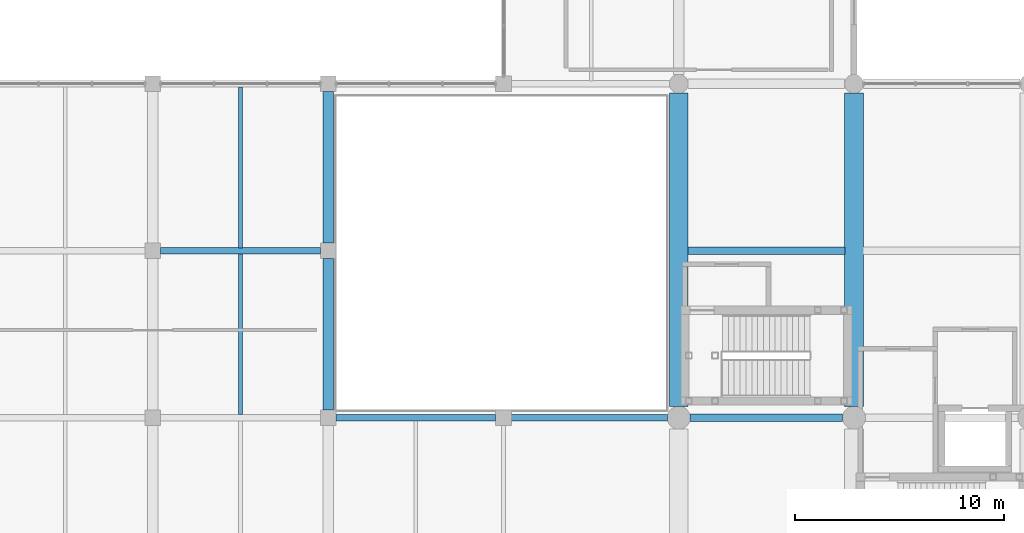
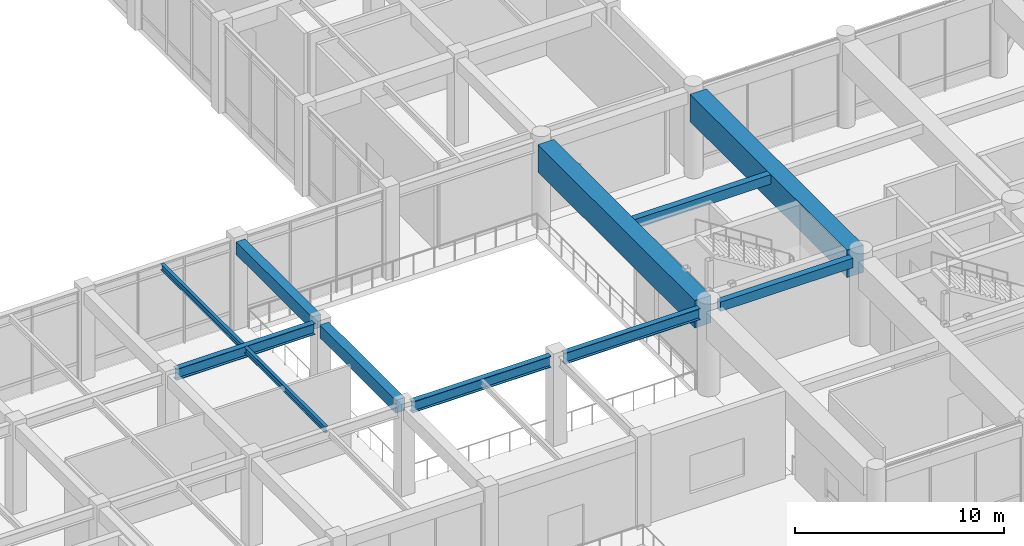
# One storey, part 26 of 79: 11 beams.
"""IFC4 building model written with IfcOpenShell, lengths in metres."""

from ifc_helpers import new_model, si_unit, direction, frame, origin, origin_2d, place, context, subcontext, project, spatial, rectangle, i_section, extrude, material, material_profile, profile_set, type_object, element, save


model = new_model("IFC4")

# Units and contexts
model_context = context("Model", 3, precision=1e-05, world=origin(), true_north=direction((0.0, 1.0)))
body_context = subcontext(model_context, "Body", "Model", "MODEL_VIEW")
ifc_project = project(units=[si_unit("LENGTHUNIT", "METRE"), si_unit("AREAUNIT", "SQUARE_METRE"), si_unit("VOLUMEUNIT", "CUBIC_METRE"), si_unit("PLANEANGLEUNIT", "RADIAN"), si_unit("MASSUNIT", "GRAM", prefix="KILO")], contexts=[model_context])

# Site, building, storey
site_placement = place(None, origin())
site = spatial("IfcSite", under=ifc_project, at=site_placement, CompositionType="ELEMENT")
building_placement = place(site_placement, origin())
building = spatial("IfcBuilding", under=site, at=building_placement, Name="Naruveol Harbour Congress Hotel", CompositionType="ELEMENT")
storey_placement = place(building_placement, frame((0.0, 0.0, 6.0)))
storey = spatial("IfcBuildingStorey", under=building, at=storey_placement, Name="L01", CompositionType="ELEMENT", Elevation=6.0)

# Beams
ifc_material_1 = material(Name="Concrete C40/50", Category="concrete")
ifc_material_profile_1 = material_profile(ifc_material_1, rectangle(XDim=0.5, YDim=0.75, at=origin_2d()), Name="RCB-500x750")
ifc_profile_set_1 = profile_set([ifc_material_profile_1], Name="Concrete C40/50")
beam_type_1 = type_object("IfcBeamType", Name="RC FLOOR GIRDER 500X750", PredefinedType="BEAM", material=ifc_profile_set_1)
for number, where, z_axis, x_axis, name in (
    (1, (100.800048828125, 16.37109375, 4.77490234375), (0.0, 1.0, 0.0), (-1.0, 0.0, 0.0), "Transverse girder L02 CB3"),
    (2, (100.800048828125, 24.37109375, 4.77490234375), (0.0, 1.0, 0.0), (-1.0, 0.0, 0.0), "Transverse girder L02 CB3"),
):
    element("IfcBeam", number, at=place(storey_placement, frame(where, z_axis=z_axis, x_axis=x_axis)), inside=storey, type_object=beam_type_1, Name=name, PredefinedType="BEAM", context=body_context, shape_type="SweptSolid", body=[
        extrude(rectangle(XDim=0.5, YDim=0.75, at=origin_2d()), origin(), (0.0, 0.0, 1.0), 7.2578125),
    ])
ifc_material_2 = material(Name="Concrete C40/50", Category="concrete")
ifc_material_profile_2 = material_profile(ifc_material_2, rectangle(XDim=0.35009765625, YDim=0.550048828125, at=origin_2d()), Name="RCB-350x550")
ifc_profile_set_2 = profile_set([ifc_material_profile_2], Name="Concrete C40/50")
beam_type_2 = type_object("IfcBeamType", Name="RC SECONDARY BEAM 350X550", PredefinedType="JOIST", material=ifc_profile_set_2)
beam_1_placement = place(storey_placement, frame((118.14599609375, 16.0, 4.77490234375), z_axis=(1.0, 0.0, 0.0), x_axis=(0.0, 1.0, 0.0)))
element("IfcBeam", 3, at=beam_1_placement, inside=storey, type_object=beam_type_2, Name="Hotel chord beam L02 CJ1", PredefinedType="JOIST", context=body_context, shape_type="SweptSolid", body=[
    extrude(rectangle(XDim=0.35009765625, YDim=0.550048828125, at=origin_2d()), origin(), (0.0, 0.0, 1.0), 7.30810546875),
])
beam_2_placement = place(storey_placement, frame((118.041015625, 24.0, 4.77490234375), z_axis=(1.0, 0.0, 0.0), x_axis=(0.0, 1.0, 0.0)))
element("IfcBeam", 4, at=beam_2_placement, inside=storey, type_object=beam_type_2, Name="Hotel chord beam L02 CJ1", PredefinedType="JOIST", context=body_context, shape_type="SweptSolid", body=[
    extrude(rectangle(XDim=0.35009765625, YDim=0.550048828125, at=origin_2d()), origin(), (0.0, 0.0, 1.0), 7.51806640625),
])
ifc_material_3 = material(Name="Concrete C50/60", Category="concrete")
ifc_material_profile_3 = material_profile(ifc_material_3, rectangle(XDim=0.89990234375, YDim=1.60009765625, at=origin_2d()), Name="RCB-900x1600")
ifc_profile_set_3 = profile_set([ifc_material_profile_3], Name="Concrete C50/60")
beam_type_3 = type_object("IfcBeamType", Name="RC TRANSFER GIRDER 900X1600", PredefinedType="BEAM", material=ifc_profile_set_3)
for number, where, z_axis, x_axis, name in (
    (5, (117.60009765625, 16.5458984375, 4.25), (0.0, 1.0, 0.0), (-1.0, 0.0, 0.0), "Hotel L02 transfer girder S0 TG1"),
    (6, (126.0, 16.5458984375, 4.25), (0.0, 1.0, 0.0), (-1.0, 0.0, 0.0), "Hotel L02 transfer girder S1 TG1"),
):
    element("IfcBeam", number, at=place(storey_placement, frame(where, z_axis=z_axis, x_axis=x_axis)), inside=storey, type_object=beam_type_3, Name=name, PredefinedType="BEAM", context=body_context, shape_type="SweptSolid", body=[
        extrude(rectangle(XDim=0.89990234375, YDim=1.60009765625, at=origin_2d()), origin(), (0.0, 0.0, 1.0), 15.008056640625),
    ])
ifc_material_4 = material(Name="Steel SN490", Category="steel")
ifc_material_profile_4 = material_profile(ifc_material_4, i_section(OverallWidth=0.300048828125, OverallDepth=0.64990234375, WebThickness=0.012939453125, FlangeThickness=0.02392578125, at=origin_2d()), Name="H-650x300x13x24")
ifc_profile_set_4 = profile_set([ifc_material_profile_4], Name="Steel SN490")
beam_type_4 = type_object("IfcBeamType", Name="STEEL ATRIUM TIE GIRDER H650", PredefinedType="BEAM", material=ifc_profile_set_4)
beam_3_placement = place(storey_placement, frame((101.1708984375, 16.0, 4.824951171875), z_axis=(1.0, 0.0, 0.0), x_axis=(0.0, 1.0, 0.0)))
element("IfcBeam", 7, at=beam_3_placement, inside=storey, type_object=beam_type_4, Name="Floor girder L02 SG2", PredefinedType="BEAM", context=body_context, shape_type="SweptSolid", body=[
    extrude(i_section(OverallWidth=0.300048828125, OverallDepth=0.64990234375, WebThickness=0.012939453125, FlangeThickness=0.02392578125, at=origin_2d()), origin(), (0.0, 0.0, 1.0), 7.658203125),
])
beam_4_placement = place(storey_placement, frame((109.571044921875, 16.0, 4.72509765625), z_axis=(1.0, 0.0, 0.0), x_axis=(0.0, 1.0, 0.0)))
element("IfcBeam", 8, at=beam_4_placement, inside=storey, type_object=beam_type_4, Name="Floor girder L02 SG2", PredefinedType="BEAM", context=body_context, shape_type="SweptSolid", body=[
    extrude(i_section(OverallWidth=0.300048828125, OverallDepth=0.64990234375, WebThickness=0.012939453125, FlangeThickness=0.02392578125, at=origin_2d()), origin(), (0.0, 0.0, 1.0), 7.48291015625),
])
beam_5_placement = place(storey_placement, frame((92.77099609375, 24.0, 4.824951171875), z_axis=(1.0, 0.0, 0.0), x_axis=(0.0, 1.0, 0.0)))
element("IfcBeam", 9, at=beam_5_placement, inside=storey, type_object=beam_type_4, Name="Floor girder L02 SG2", PredefinedType="BEAM", context=body_context, shape_type="SweptSolid", body=[
    extrude(i_section(OverallWidth=0.300048828125, OverallDepth=0.64990234375, WebThickness=0.012939453125, FlangeThickness=0.02392578125, at=origin_2d()), origin(), (0.0, 0.0, 1.0), 7.657958984375),
])
ifc_material_5 = material(Name="Steel SN490", Category="steel")
ifc_material_profile_5 = material_profile(ifc_material_5, i_section(OverallWidth=0.175048828125, OverallDepth=0.35009765625, WebThickness=0.007080078125, FlangeThickness=0.010986328125, at=origin_2d()), Name="H-350x175x7x11")
ifc_profile_set_5 = profile_set([ifc_material_profile_5], Name="Steel SN490")
beam_type_5 = type_object("IfcBeamType", Name="STEEL SECONDARY JOIST H350", PredefinedType="JOIST", material=ifc_profile_set_5)
for number, where, z_axis, x_axis, name in (
    (10, (96.60009765625, 16.14599609375, 4.97509765625), (0.0, 1.0, 0.0), (-1.0, 0.0, 0.0), "Secondary floor joist L02 SJ2"),
    (11, (96.60009765625, 24.14599609375, 4.97509765625), (0.0, 1.0, 0.0), (-1.0, 0.0, 0.0), "Secondary floor joist L02 SJ2"),
):
    element("IfcBeam", number, at=place(storey_placement, frame(where, z_axis=z_axis, x_axis=x_axis)), inside=storey, type_object=beam_type_5, Name=name, PredefinedType="JOIST", context=body_context, shape_type="SweptSolid", body=[
        extrude(i_section(OverallWidth=0.175048828125, OverallDepth=0.35009765625, WebThickness=0.007080078125, FlangeThickness=0.010986328125, at=origin_2d()), origin(), (0.0, 0.0, 1.0), 7.7080078125),
    ])

save(model, "model.ifc")
